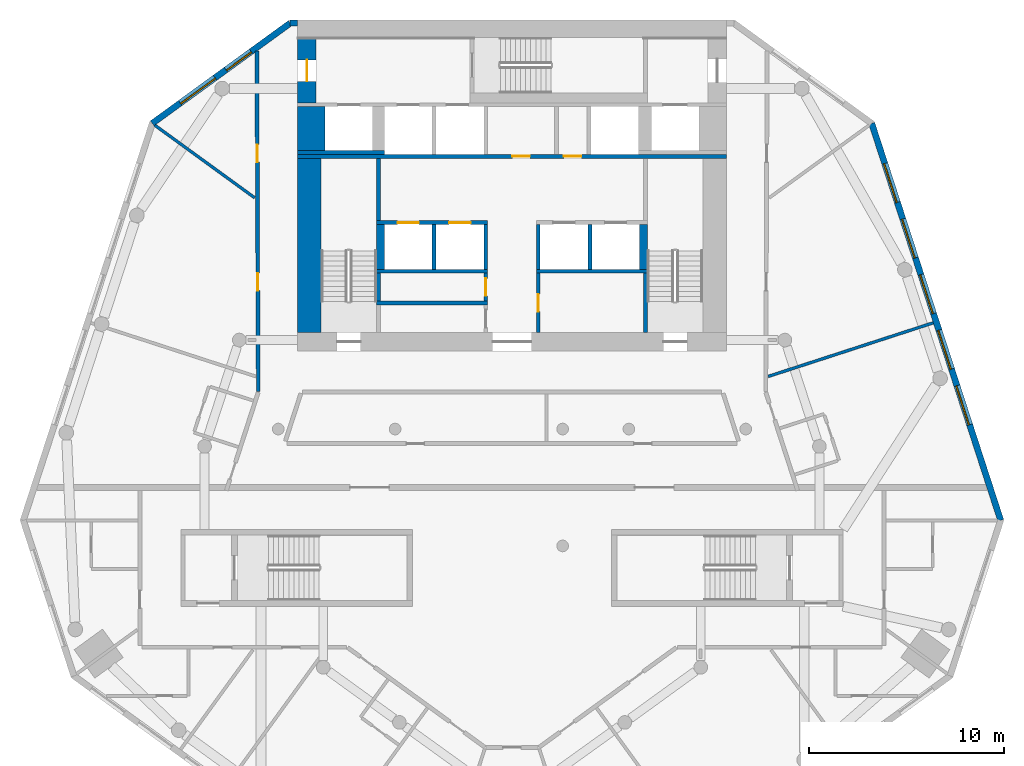
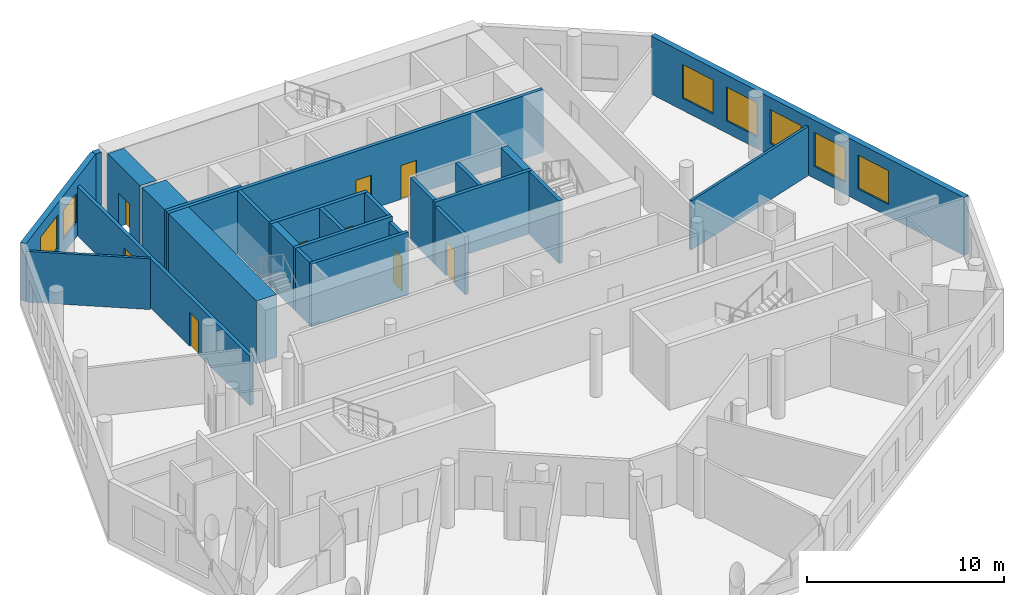
# One storey, part 5 of 9: 26 walls, 9 doors, 7 windows, 16 openings.
"""IFC4 building model written with IfcOpenShell, lengths in metres."""

from ifc_helpers import new_model, si_unit, direction, frame, frame_2d, origin, place, context, subcontext, project, spatial, rectangle, extrude, material, layer, layer_set, type_object, element, fill, save


model = new_model("IFC4")

# Units and contexts
model_context = context("Model", 3, precision=1e-05, world=origin(), true_north=direction((0.0, 1.0)))
body_context = subcontext(model_context, "Body", "Model", "MODEL_VIEW")
ifc_project = project(units=[si_unit("LENGTHUNIT", "METRE"), si_unit("AREAUNIT", "SQUARE_METRE"), si_unit("VOLUMEUNIT", "CUBIC_METRE"), si_unit("PLANEANGLEUNIT", "RADIAN"), si_unit("MASSUNIT", "GRAM", prefix="KILO")], contexts=[model_context])

# Site, building, storey
site_placement = place(None, origin())
site = spatial("IfcSite", under=ifc_project, at=site_placement, CompositionType="ELEMENT")
building_placement = place(site_placement, origin())
building = spatial("IfcBuilding", under=site, at=building_placement, Name="White Candle Pilgrim Tower", CompositionType="ELEMENT")
storey_placement = place(building_placement, frame((0.0, 0.0, 175.89990234375)))
storey = spatial("IfcBuildingStorey", under=building, at=storey_placement, Name="L40", CompositionType="ELEMENT", Elevation=175.89990234375)

# Walls
ifc_material_1 = material(Name="Concrete C60/75", Category="concrete")
ifc_layer_1 = layer(ifc_material_1, 1.39990234375)
ifc_layer_set_1 = layer_set([ifc_layer_1], Name="Core wall 1400 mm Concrete C60/75")
wall_type_1 = type_object("IfcWallType", Name="Core wall 1400 mm Concrete C60/75", PredefinedType="SHEAR", material=ifc_layer_set_1)
wall_1_placement = place(storey_placement, frame((59.699951171875, 81.300048828125, 0.0), z_axis=(0.0, 0.0, 1.0), x_axis=(0.0, 1.0, 0.0)))
element("IfcWall", 1, at=wall_1_placement, inside=storey, type_object=wall_type_1, Name="WL-L40-C40", PredefinedType="SHEAR", context=body_context, shape_type="SweptSolid", body=[
    extrude(rectangle(XDim=2.25, YDim=1.39990234375, at=frame_2d((1.125, 0.0))), origin(), (0.0, 0.0, 1.0), 3.900146484375),
])
ifc_layer_2 = layer(ifc_material_1, 0.199951171875)
ifc_layer_set_2 = layer_set([ifc_layer_2], Name="Core wall 200 mm Concrete C60/75")
wall_type_2 = type_object("IfcWallType", Name="Core wall 200 mm Concrete C60/75", PredefinedType="SHEAR", material=ifc_layer_set_2)
wall_2_placement = place(storey_placement, frame((59.0, 81.199951171875, 0.0), z_axis=(0.0, 0.0, 1.0), x_axis=(1.0, 0.0, 0.0)))
element("IfcWall", 2, at=wall_2_placement, inside=storey, type_object=wall_type_2, Name="WL-L40-C34", PredefinedType="SHEAR", context=body_context, shape_type="SweptSolid", body=[
    extrude(rectangle(XDim=4.449951171875, YDim=0.199951171875, at=frame_2d((2.22509765625, 0.0))), origin(), (0.0, 0.0, 1.0), 3.900146484375),
])

# Wall, opening, door
ifc_layer_3 = layer(ifc_material_1, 0.949951171875)
ifc_layer_set_3 = layer_set([ifc_layer_3], Name="Core wall 950 mm Concrete C60/75")
wall_type_3 = type_object("IfcWallType", Name="Core wall 950 mm Concrete C60/75", PredefinedType="SHEAR", material=ifc_layer_set_3)
wall_3_placement = place(storey_placement, frame((59.47509765625, 83.75, 0.0), z_axis=(0.0, 0.0, 1.0), x_axis=(0.0, 1.0, 0.0)))
wall_3 = element("IfcWall", 3, at=wall_3_placement, inside=storey, type_object=wall_type_3, Name="WL-L40-C45", PredefinedType="SHEAR", context=body_context, shape_type="SweptSolid", body=[
    extrude(rectangle(XDim=3.300048828125, YDim=0.949951171875, at=frame_2d((1.64990234375, 0.0))), origin(), (0.0, 0.0, 1.0), 3.900146484375),
])
opening_1_placement = place(wall_3_placement, frame((1.10009765625, 0.0, 0.0)))
opening_1 = element("IfcOpeningElement", 4, at=opening_1_placement, cuts=wall_3, Name="Opening T12-008", PredefinedType="OPENING", context=body_context, shape_type="SweptSolid", body=[
    extrude(rectangle(XDim=1.10009765625, YDim=2.10009765625, at=frame_2d((0.550048828125, 1.050048828125))), frame((0.0, 0.48486328125, 0.0), z_axis=(0.0, -1.0, 0.0), x_axis=(1.0, 0.0, 0.0)), (0.0, 0.0, 1.0), 0.969970703125),
])
ifc_material_2 = material(Name="Steel door leaf", Category="steel")
door_type_1 = type_object("IfcDoorType", Name="Fire door 1100 x 2100 EI 60", OperationType="NOTDEFINED", PredefinedType="DOOR", material=ifc_material_2)
door_1_placement = place(opening_1_placement, origin())
door_1 = element("IfcDoor", 5, at=door_1_placement, inside=storey, type_object=door_type_1, Name="Door T12-008", OperationType="SINGLE_SWING_RIGHT", OverallHeight=2.10009765625, OverallWidth=1.10009765625, PredefinedType="DOOR", context=body_context, shape_type="SweptSolid", body=[
    extrude(rectangle(XDim=1.10009765625, YDim=2.10009765625, at=frame_2d((0.550048828125, 1.050048828125))), frame((0.0, 0.02490234375, 0.0), z_axis=(0.0, -1.0, 0.0), x_axis=(1.0, 0.0, 0.0)), (0.0, 0.0, 1.0), 0.050048828125),
])
fill(opening_1, door_1)

# Wall, openings, doors
ifc_material_3 = material(Name="Gypsum board on steel studs", Category="steel")
ifc_layer_4 = layer(ifc_material_3, 0.199951171875)
ifc_layer_set_4 = layer_set([ifc_layer_4], Name="Corridor wall 200 mm EI 45")
wall_type_4 = type_object("IfcWallType", Name="Corridor wall 200 mm EI 45", PredefinedType="PARTITIONING", material=ifc_layer_set_4)
wall_4_placement = place(storey_placement, frame((56.975341796875, 68.916015625, 0.0), z_axis=(0.0, 0.0, 1.0), x_axis=(-0.004315662543, 0.999990687485, 0.0)))
wall_4 = element("IfcWall", 6, at=wall_4_placement, inside=storey, type_object=wall_type_4, Name="WL-L40-P003", PredefinedType="PARTITIONING", context=body_context, shape_type="SweptSolid", body=[
    extrude(rectangle(XDim=17.48046875, YDim=0.199951171875, at=frame_2d((8.740234375, 0.0))), origin(), (0.0, 0.0, 1.0), 3.050048828125),
])
opening_2_placement = place(wall_4_placement, frame((5.194580078125, 0.0, 0.0)))
opening_2 = element("IfcOpeningElement", 7, at=opening_2_placement, cuts=wall_4, Name="Opening T12-123", PredefinedType="OPENING", context=body_context, shape_type="SweptSolid", body=[
    extrude(rectangle(XDim=0.89990234375, YDim=2.10009765625, at=frame_2d((0.449951171875, 1.050048828125))), frame((0.0, 0.10986328125, 0.0), z_axis=(0.0, -1.0, 0.0), x_axis=(1.0, 0.0, 0.0)), (0.0, 0.0, 1.0), 0.219970703125),
])
opening_3_placement = place(wall_4_placement, frame((11.7861328125, 0.0, 0.0)))
opening_3 = element("IfcOpeningElement", 8, at=opening_3_placement, cuts=wall_4, Name="Opening T12-124", PredefinedType="OPENING", context=body_context, shape_type="SweptSolid", body=[
    extrude(rectangle(XDim=0.89990234375, YDim=2.10009765625, at=frame_2d((0.449951171875, 1.050048828125))), frame((0.0, 0.10986328125, 0.0), z_axis=(0.0, -1.0, 0.0), x_axis=(1.0, 0.0, 0.0)), (0.0, 0.0, 1.0), 0.219970703125),
])
door_type_2 = type_object("IfcDoorType", Name="Fire door 900 x 2100 EI 30", OperationType="NOTDEFINED", PredefinedType="DOOR", material=ifc_material_2)
door_2_placement = place(opening_2_placement, origin())
door_2 = element("IfcDoor", 9, at=door_2_placement, inside=storey, type_object=door_type_2, Name="Door T12-123", OperationType="SINGLE_SWING_LEFT", OverallHeight=2.10009765625, OverallWidth=0.89990234375, PredefinedType="DOOR", context=body_context, shape_type="SweptSolid", body=[
    extrude(rectangle(XDim=0.89990234375, YDim=2.10009765625, at=frame_2d((0.449951171875, 1.050048828125))), frame((0.0, 0.02490234375, 0.0), z_axis=(0.0, -1.0, 0.0), x_axis=(1.0, 0.0, 0.0)), (0.0, 0.0, 1.0), 0.050048828125),
])
fill(opening_2, door_2)
door_3_placement = place(opening_3_placement, origin())
door_3 = element("IfcDoor", 10, at=door_3_placement, inside=storey, type_object=door_type_2, Name="Door T12-124", OperationType="SINGLE_SWING_RIGHT", OverallHeight=2.10009765625, OverallWidth=0.89990234375, PredefinedType="DOOR", context=body_context, shape_type="SweptSolid", body=[
    extrude(rectangle(XDim=0.89990234375, YDim=2.10009765625, at=frame_2d((0.449951171875, 1.050048828125))), frame((0.0, 0.02490234375, 0.0), z_axis=(0.0, -1.0, 0.0), x_axis=(1.0, 0.0, 0.0)), (0.0, 0.0, 1.0), 0.050048828125),
])
fill(opening_3, door_3)

# Wall, openings, windows
ifc_material_4 = material(Name="Precast concrete C40/50", Category="concrete")
ifc_layer_5 = layer(ifc_material_4, 0.320068359375)
ifc_layer_set_5 = layer_set([ifc_layer_5], Name="Facade wall EW1 precast concrete C40/50 pier wall with timber-lined reveals")
wall_type_5 = type_object("IfcWallType", Name="Facade wall EW1 precast concrete C40/50 pier wall with timber-lined reveals", PredefinedType="SOLIDWALL", material=ifc_layer_set_5)
wall_5_placement = place(storey_placement, frame((95.090087890625, 62.314453125, 0.0), z_axis=(0.0, 0.0, 1.0), x_axis=(-0.309016769675, 0.951056589304, 0.0)))
wall_5 = element("IfcWall", 11, at=wall_5_placement, inside=storey, type_object=wall_type_5, Name="Facade wall L40 ENE", PredefinedType="SOLIDWALL", context=body_context, shape_type="SweptSolid", body=[
    extrude(rectangle(XDim=21.427978515625, YDim=0.320068359375, at=frame_2d((10.7138671875, 0.0))), origin(), (0.0, 0.0, 1.0), 3.60009765625),
])
opening_4_placement = place(wall_5_placement, frame((5.163818359375, 0.0, 0.75)))
opening_4 = element("IfcOpeningElement", 12, at=opening_4_placement, cuts=wall_5, Name="Opening W3", PredefinedType="OPENING", context=body_context, shape_type="SweptSolid", body=[
    extrude(rectangle(XDim=2.10009765625, YDim=2.10009765625, at=frame_2d((1.050048828125, 1.050048828125))), frame((0.0, 0.169921875, 0.0), z_axis=(0.0, -1.0, 0.0), x_axis=(1.0, 0.0, 0.0)), (0.0, 0.0, 1.0), 0.340087890625),
])
opening_5_placement = place(wall_5_placement, frame((8.163818359375, 0.0, 0.75)))
opening_5 = element("IfcOpeningElement", 13, at=opening_5_placement, cuts=wall_5, Name="Opening W3", PredefinedType="OPENING", context=body_context, shape_type="SweptSolid", body=[
    extrude(rectangle(XDim=2.10009765625, YDim=2.10009765625, at=frame_2d((1.050048828125, 1.050048828125))), frame((0.0, 0.169921875, 0.0), z_axis=(0.0, -1.0, 0.0), x_axis=(1.0, 0.0, 0.0)), (0.0, 0.0, 1.0), 0.340087890625),
])
opening_6_placement = place(wall_5_placement, frame((11.163818359375, 0.0, 0.75)))
opening_6 = element("IfcOpeningElement", 14, at=opening_6_placement, cuts=wall_5, Name="Opening W3", PredefinedType="OPENING", context=body_context, shape_type="SweptSolid", body=[
    extrude(rectangle(XDim=2.10009765625, YDim=2.10009765625, at=frame_2d((1.050048828125, 1.050048828125))), frame((0.0, 0.169921875, 0.0), z_axis=(0.0, -1.0, 0.0), x_axis=(1.0, 0.0, 0.0)), (0.0, 0.0, 1.0), 0.340087890625),
])
opening_7_placement = place(wall_5_placement, frame((14.163818359375, 0.0, 0.75)))
opening_7 = element("IfcOpeningElement", 15, at=opening_7_placement, cuts=wall_5, Name="Opening W3", PredefinedType="OPENING", context=body_context, shape_type="SweptSolid", body=[
    extrude(rectangle(XDim=2.10009765625, YDim=2.10009765625, at=frame_2d((1.050048828125, 1.050048828125))), frame((0.0, 0.169921875, 0.0), z_axis=(0.0, -1.0, 0.0), x_axis=(1.0, 0.0, 0.0)), (0.0, 0.0, 1.0), 0.340087890625),
])
opening_8_placement = place(wall_5_placement, frame((17.163818359375, 0.0, 0.75)))
opening_8 = element("IfcOpeningElement", 16, at=opening_8_placement, cuts=wall_5, Name="Opening W3", PredefinedType="OPENING", context=body_context, shape_type="SweptSolid", body=[
    extrude(rectangle(XDim=2.10009765625, YDim=2.10009765625, at=frame_2d((1.050048828125, 1.050048828125))), frame((0.0, 0.169921875, 0.0), z_axis=(0.0, -1.0, 0.0), x_axis=(1.0, 0.0, 0.0)), (0.0, 0.0, 1.0), 0.340087890625),
])
ifc_material_5 = material(Name="Timber frame with triple glazing", Category="wood")
window_type_1 = type_object("IfcWindowType", Name="Window W3 2100x2100 timber frame triple glazing", PartitioningType="SINGLE_PANEL", PredefinedType="WINDOW", material=ifc_material_5)
window_1_placement = place(opening_4_placement, origin())
window_1 = element("IfcWindow", 17, at=window_1_placement, inside=storey, type_object=window_type_1, Name="Window W3 L40 ENE 2", OverallHeight=2.10009765625, OverallWidth=2.10009765625, PartitioningType="SINGLE_PANEL", PredefinedType="WINDOW", context=body_context, shape_type="SweptSolid", body=[
    extrude(rectangle(XDim=2.10009765625, YDim=2.10009765625, at=frame_2d((1.050048828125, 1.050048828125))), frame((0.0, 0.070068359375, 0.0), z_axis=(0.0, -1.0, 0.0), x_axis=(1.0, 0.0, 0.0)), (0.0, 0.0, 1.0), 0.06005859375),
])
fill(opening_4, window_1)
window_2_placement = place(opening_5_placement, origin())
window_2 = element("IfcWindow", 18, at=window_2_placement, inside=storey, type_object=window_type_1, Name="Window W3 L40 ENE 3", OverallHeight=2.10009765625, OverallWidth=2.10009765625, PartitioningType="SINGLE_PANEL", PredefinedType="WINDOW", context=body_context, shape_type="SweptSolid", body=[
    extrude(rectangle(XDim=2.10009765625, YDim=2.10009765625, at=frame_2d((1.050048828125, 1.050048828125))), frame((0.0, 0.070068359375, 0.0), z_axis=(0.0, -1.0, 0.0), x_axis=(1.0, 0.0, 0.0)), (0.0, 0.0, 1.0), 0.06005859375),
])
fill(opening_5, window_2)
window_3_placement = place(opening_6_placement, origin())
window_3 = element("IfcWindow", 19, at=window_3_placement, inside=storey, type_object=window_type_1, Name="Window W3 L40 ENE 4", OverallHeight=2.10009765625, OverallWidth=2.10009765625, PartitioningType="SINGLE_PANEL", PredefinedType="WINDOW", context=body_context, shape_type="SweptSolid", body=[
    extrude(rectangle(XDim=2.10009765625, YDim=2.10009765625, at=frame_2d((1.050048828125, 1.050048828125))), frame((0.0, 0.070068359375, 0.0), z_axis=(0.0, -1.0, 0.0), x_axis=(1.0, 0.0, 0.0)), (0.0, 0.0, 1.0), 0.06005859375),
])
fill(opening_6, window_3)
window_4_placement = place(opening_7_placement, origin())
window_4 = element("IfcWindow", 20, at=window_4_placement, inside=storey, type_object=window_type_1, Name="Window W3 L40 ENE 5", OverallHeight=2.10009765625, OverallWidth=2.10009765625, PartitioningType="SINGLE_PANEL", PredefinedType="WINDOW", context=body_context, shape_type="SweptSolid", body=[
    extrude(rectangle(XDim=2.10009765625, YDim=2.10009765625, at=frame_2d((1.050048828125, 1.050048828125))), frame((0.0, 0.070068359375, 0.0), z_axis=(0.0, -1.0, 0.0), x_axis=(1.0, 0.0, 0.0)), (0.0, 0.0, 1.0), 0.06005859375),
])
fill(opening_7, window_4)
window_5_placement = place(opening_8_placement, origin())
window_5 = element("IfcWindow", 21, at=window_5_placement, inside=storey, type_object=window_type_1, Name="Window W3 L40 ENE 6", OverallHeight=2.10009765625, OverallWidth=2.10009765625, PartitioningType="SINGLE_PANEL", PredefinedType="WINDOW", context=body_context, shape_type="SweptSolid", body=[
    extrude(rectangle(XDim=2.10009765625, YDim=2.10009765625, at=frame_2d((1.050048828125, 1.050048828125))), frame((0.0, 0.070068359375, 0.0), z_axis=(0.0, -1.0, 0.0), x_axis=(1.0, 0.0, 0.0)), (0.0, 0.0, 1.0), 0.06005859375),
])
fill(opening_8, window_5)

# Wall
wall_6_placement = place(storey_placement, frame((59.0, 87.840087890625, 0.0), z_axis=(0.0, 0.0, 1.0), x_axis=(-1.0, 0.0, 0.0)))
element("IfcWall", 22, at=wall_6_placement, inside=storey, type_object=wall_type_5, Name="Facade wall L40 N", PredefinedType="SOLIDWALL", context=body_context, shape_type="SweptSolid", body=[
    extrude(rectangle(XDim=0.385009765625, YDim=0.320068359375, at=frame_2d((0.1923828125, 0.0))), origin(), (0.0, 0.0, 1.0), 3.60009765625),
])

# Wall, openings, windows
wall_7_placement = place(storey_placement, frame((58.614990234375, 87.840087890625, 0.0), z_axis=(0.0, 0.0, 1.0), x_axis=(-0.809015733499, -0.587786987735, 0.0)))
wall_7 = element("IfcWall", 23, at=wall_7_placement, inside=storey, type_object=wall_type_5, Name="Facade wall L40 NW chamfer", PredefinedType="SOLIDWALL", context=body_context, shape_type="SweptSolid", body=[
    extrude(rectangle(XDim=8.755615234375, YDim=0.320068359375, at=frame_2d((4.3779296875, 0.0))), origin(), (0.0, 0.0, 1.0), 3.60009765625),
])
opening_9_placement = place(wall_7_placement, frame((2.477783203125, 0.0, 0.89990234375)))
opening_9 = element("IfcOpeningElement", 24, at=opening_9_placement, cuts=wall_7, Name="Opening W2", PredefinedType="OPENING", context=body_context, shape_type="SweptSolid", body=[
    extrude(rectangle(XDim=1.60009765625, YDim=1.800048828125, at=frame_2d((0.800048828125, 0.89990234375))), frame((0.0, 0.169921875, 0.0), z_axis=(0.0, -1.0, 0.0), x_axis=(1.0, 0.0, 0.0)), (0.0, 0.0, 1.0), 0.340087890625),
])
opening_10_placement = place(wall_7_placement, frame((4.77783203125, 0.0, 0.75)))
opening_10 = element("IfcOpeningElement", 25, at=opening_10_placement, cuts=wall_7, Name="Opening W4", PredefinedType="OPENING", context=body_context, shape_type="SweptSolid", body=[
    extrude(rectangle(XDim=2.199951171875, YDim=2.10009765625, at=frame_2d((1.10009765625, 1.050048828125))), frame((0.0, 0.169921875, 0.0), z_axis=(0.0, -1.0, 0.0), x_axis=(1.0, 0.0, 0.0)), (0.0, 0.0, 1.0), 0.340087890625),
])
window_type_2 = type_object("IfcWindowType", Name="Window W2 1600x1800 timber frame triple glazing", PartitioningType="SINGLE_PANEL", PredefinedType="WINDOW", material=ifc_material_5)
window_6_placement = place(opening_9_placement, origin())
window_6 = element("IfcWindow", 26, at=window_6_placement, inside=storey, type_object=window_type_2, Name="Window W2 L40 NW chamfer 1", OverallHeight=1.800048828125, OverallWidth=1.60009765625, PartitioningType="SINGLE_PANEL", PredefinedType="WINDOW", context=body_context, shape_type="SweptSolid", body=[
    extrude(rectangle(XDim=1.60009765625, YDim=1.800048828125, at=frame_2d((0.800048828125, 0.89990234375))), frame((0.0, 0.070068359375, 0.0), z_axis=(0.0, -1.0, 0.0), x_axis=(1.0, 0.0, 0.0)), (0.0, 0.0, 1.0), 0.06005859375),
])
fill(opening_9, window_6)
window_type_3 = type_object("IfcWindowType", Name="Window W4 2200x2100 timber frame triple glazing", PartitioningType="SINGLE_PANEL", PredefinedType="WINDOW", material=ifc_material_5)
window_7_placement = place(opening_10_placement, origin())
window_7 = element("IfcWindow", 27, at=window_7_placement, inside=storey, type_object=window_type_3, Name="Window W4 L40 NW chamfer 2", OverallHeight=2.10009765625, OverallWidth=2.199951171875, PartitioningType="SINGLE_PANEL", PredefinedType="WINDOW", context=body_context, shape_type="SweptSolid", body=[
    extrude(rectangle(XDim=2.199951171875, YDim=2.10009765625, at=frame_2d((1.10009765625, 1.050048828125))), frame((0.0, 0.070068359375, 0.0), z_axis=(0.0, -1.0, 0.0), x_axis=(1.0, 0.0, 0.0)), (0.0, 0.0, 1.0), 0.06005859375),
])
fill(opening_10, window_7)

# Wall, opening, door
ifc_layer_6 = layer(ifc_material_3, 0.199951171875)
ifc_layer_set_6 = layer_set([ifc_layer_6], Name="Lobby wall 200 mm EI 60")
wall_type_6 = type_object("IfcWallType", Name="Lobby wall 200 mm EI 60", PredefinedType="PARTITIONING", material=ifc_layer_set_6)
wall_8_placement = place(storey_placement, frame((71.35009765625, 71.949951171875, 0.0), z_axis=(0.0, 0.0, 1.0), x_axis=(0.0, 1.0, 0.0)))
wall_8 = element("IfcWall", 28, at=wall_8_placement, inside=storey, type_object=wall_type_6, Name="WL-L40-C15", PredefinedType="PARTITIONING", context=body_context, shape_type="SweptSolid", body=[
    extrude(rectangle(XDim=3.050048828125, YDim=0.199951171875, at=frame_2d((1.52490234375, 0.0))), origin(), (0.0, 0.0, 1.0), 3.60009765625),
])
opening_11_placement = place(wall_8_placement, frame((1.074951171875, 0.0, 0.0)))
opening_11 = element("IfcOpeningElement", 29, at=opening_11_placement, cuts=wall_8, Name="Opening T12-007", PredefinedType="OPENING", context=body_context, shape_type="SweptSolid", body=[
    extrude(rectangle(XDim=0.89990234375, YDim=2.10009765625, at=frame_2d((0.449951171875, 1.050048828125))), frame((0.0, 0.10986328125, 0.0), z_axis=(0.0, -1.0, 0.0), x_axis=(1.0, 0.0, 0.0)), (0.0, 0.0, 1.0), 0.219970703125),
])
door_4_placement = place(opening_11_placement, origin())
door_4 = element("IfcDoor", 30, at=door_4_placement, inside=storey, type_object=door_type_2, Name="Door T12-007", OperationType="SINGLE_SWING_LEFT", OverallHeight=2.10009765625, OverallWidth=0.89990234375, PredefinedType="DOOR", context=body_context, shape_type="SweptSolid", body=[
    extrude(rectangle(XDim=0.89990234375, YDim=2.10009765625, at=frame_2d((0.449951171875, 1.050048828125))), frame((0.0, 0.02490234375, 0.0), z_axis=(0.0, -1.0, 0.0), x_axis=(1.0, 0.0, 0.0)), (0.0, 0.0, 1.0), 0.050048828125),
])
fill(opening_11, door_4)

wall_9_placement = place(storey_placement, frame((68.64990234375, 73.574951171875, 0.0), z_axis=(0.0, 0.0, 1.0), x_axis=(0.0, 1.0, 0.0)))
wall_9 = element("IfcWall", 31, at=wall_9_placement, inside=storey, type_object=wall_type_6, Name="WL-L40-C20", PredefinedType="PARTITIONING", context=body_context, shape_type="SweptSolid", body=[
    extrude(rectangle(XDim=1.425048828125, YDim=0.199951171875, at=frame_2d((0.71240234375, 0.0))), origin(), (0.0, 0.0, 1.0), 3.60009765625),
])
opening_12_placement = place(wall_9_placement, frame((0.262451171875, 0.0, 0.0)))
opening_12 = element("IfcOpeningElement", 32, at=opening_12_placement, cuts=wall_9, Name="Opening T12-006", PredefinedType="OPENING", context=body_context, shape_type="SweptSolid", body=[
    extrude(rectangle(XDim=0.89990234375, YDim=2.10009765625, at=frame_2d((0.449951171875, 1.050048828125))), frame((0.0, 0.10986328125, 0.0), z_axis=(0.0, -1.0, 0.0), x_axis=(1.0, 0.0, 0.0)), (0.0, 0.0, 1.0), 0.219970703125),
])
door_5_placement = place(opening_12_placement, origin())
door_5 = element("IfcDoor", 33, at=door_5_placement, inside=storey, type_object=door_type_2, Name="Door T12-006", OperationType="SINGLE_SWING_RIGHT", OverallHeight=2.10009765625, OverallWidth=0.89990234375, PredefinedType="DOOR", context=body_context, shape_type="SweptSolid", body=[
    extrude(rectangle(XDim=0.89990234375, YDim=2.10009765625, at=frame_2d((0.449951171875, 1.050048828125))), frame((0.0, 0.02490234375, 0.0), z_axis=(0.0, -1.0, 0.0), x_axis=(1.0, 0.0, 0.0)), (0.0, 0.0, 1.0), 0.050048828125),
])
fill(opening_12, door_5)

# Walls
ifc_layer_7 = layer(ifc_material_3, 0.14990234375)
ifc_layer_set_7 = layer_set([ifc_layer_7], Name="Partition 150 mm EI 60")
wall_type_7 = type_object("IfcWallType", Name="Partition 150 mm EI 60", PredefinedType="PARTITIONING", material=ifc_layer_set_7)
wall_10_placement = place(storey_placement, frame((51.66748046875, 82.594482421875, 0.0), z_axis=(0.0, 0.0, 1.0), x_axis=(0.809026220211, -0.587772553809, 0.0)))
element("IfcWall", 34, at=wall_10_placement, inside=storey, type_object=wall_type_7, Name="WL-L40-P017", PredefinedType="PARTITIONING", context=body_context, shape_type="SweptSolid", body=[
    extrude(rectangle(XDim=6.329345703125, YDim=0.14990234375, at=frame_2d((3.16455078125, 0.0))), origin(), (0.0, 0.0, 1.0), 3.150146484375),
])
wall_11_placement = place(storey_placement, frame((91.627197265625, 72.45458984375, 0.0), z_axis=(0.0, 0.0, 1.0), x_axis=(-0.951055809184, -0.30901917063, 0.0)))
element("IfcWall", 35, at=wall_11_placement, inside=storey, type_object=wall_type_7, Name="WL-L40-P044", PredefinedType="PARTITIONING", context=body_context, shape_type="SweptSolid", body=[
    extrude(rectangle(XDim=8.911865234375, YDim=0.14990234375, at=frame_2d((4.4560546875, 0.0))), origin(), (0.0, 0.0, 1.0), 3.050048828125),
])
ifc_layer_8 = layer(ifc_material_1, 0.199951171875)
ifc_layer_set_8 = layer_set([ifc_layer_8], Name="Shaft wall 200 mm Concrete C60/75")
wall_type_8 = type_object("IfcWallType", Name="Shaft wall 200 mm Concrete C60/75", PredefinedType="SHEAR", material=ifc_layer_set_8)
for number, where, z_axis, x_axis, name in (
    (36, (66.0, 75.199951171875, 0.0), (0.0, 0.0, 1.0), (0.0, 1.0, 0.0), "WL-L40-C24"),
    (37, (68.64990234375, 75.199951171875, 0.0), (0.0, 0.0, 1.0), (0.0, 1.0, 0.0), "WL-L40-C25"),
    (38, (71.35009765625, 75.199951171875, 0.0), (0.0, 0.0, 1.0), (0.0, 1.0, 0.0), "WL-L40-C26"),
    (39, (74.0, 75.199951171875, 0.0), (0.0, 0.0, 1.0), (0.0, 1.0, 0.0), "WL-L40-C27"),
):
    element("IfcWall", number, at=place(storey_placement, frame(where, z_axis=z_axis, x_axis=x_axis)), inside=storey, type_object=wall_type_8, Name=name, PredefinedType="SHEAR", context=body_context, shape_type="SweptSolid", body=[
        extrude(rectangle(XDim=2.300048828125, YDim=0.199951171875, at=frame_2d((1.14990234375, 0.0))), origin(), (0.0, 0.0, 1.0), 3.900146484375),
    ])
ifc_layer_9 = layer(ifc_material_1, 1.199951171875)
ifc_layer_set_9 = layer_set([ifc_layer_9], Name="Stair shaft wall 1200 mm Concrete C60/75")
wall_type_9 = type_object("IfcWallType", Name="Stair shaft wall 1200 mm Concrete C60/75", PredefinedType="SHEAR", material=ifc_layer_set_9)
wall_12_placement = place(storey_placement, frame((59.60009765625, 71.949951171875, 0.0), z_axis=(0.0, 0.0, 1.0), x_axis=(0.0, 1.0, 0.0)))
element("IfcWall", 40, at=wall_12_placement, inside=storey, type_object=wall_type_9, Name="WL-L40-C12", PredefinedType="SHEAR", context=body_context, shape_type="SweptSolid", body=[
    extrude(rectangle(XDim=8.949951171875, YDim=1.199951171875, at=frame_2d((4.47509765625, 0.0))), origin(), (0.0, 0.0, 1.0), 3.900146484375),
])
ifc_layer_10 = layer(ifc_material_1, 0.199951171875)
ifc_layer_set_10 = layer_set([ifc_layer_10], Name="Stair shaft wall 200 mm Concrete C60/75")
wall_type_10 = type_object("IfcWallType", Name="Stair shaft wall 200 mm Concrete C60/75", PredefinedType="SHEAR", material=ifc_layer_set_10)
wall_13_placement = place(storey_placement, frame((76.85009765625, 71.949951171875, 0.0), z_axis=(0.0, 0.0, 1.0), x_axis=(0.0, 1.0, 0.0)))
element("IfcWall", 41, at=wall_13_placement, inside=storey, type_object=wall_type_10, Name="WL-L40-C16", PredefinedType="SHEAR", context=body_context, shape_type="SweptSolid", body=[
    extrude(rectangle(XDim=3.050048828125, YDim=0.199951171875, at=frame_2d((1.52490234375, 0.0))), origin(), (0.0, 0.0, 1.0), 3.900146484375),
])
wall_14_placement = place(storey_placement, frame((63.050048828125, 73.47509765625, 0.0), z_axis=(0.0, 0.0, 1.0), x_axis=(1.0, 0.0, 0.0)))
element("IfcWall", 42, at=wall_14_placement, inside=storey, type_object=wall_type_10, Name="WL-L40-C18", PredefinedType="SHEAR", context=body_context, shape_type="SweptSolid", body=[
    extrude(rectangle(XDim=5.699951171875, YDim=0.199951171875, at=frame_2d((2.85009765625, 0.0))), origin(), (0.0, 0.0, 1.0), 3.900146484375),
])
wall_15_placement = place(storey_placement, frame((63.14990234375, 73.574951171875, 0.0), z_axis=(0.0, 0.0, 1.0), x_axis=(0.0, 1.0, 0.0)))
element("IfcWall", 43, at=wall_15_placement, inside=storey, type_object=wall_type_10, Name="WL-L40-C19", PredefinedType="SHEAR", context=body_context, shape_type="SweptSolid", body=[
    extrude(rectangle(XDim=1.425048828125, YDim=0.199951171875, at=frame_2d((0.71240234375, 0.0))), origin(), (0.0, 0.0, 1.0), 3.900146484375),
])
for number, where, z_axis, x_axis, name in (
    (44, (63.050048828125, 75.10009765625, 0.0), (0.0, 0.0, 1.0), (1.0, 0.0, 0.0), "WL-L40-C21"),
    (45, (71.25, 75.10009765625, 0.0), (0.0, 0.0, 1.0), (1.0, 0.0, 0.0), "WL-L40-C22"),
):
    element("IfcWall", number, at=place(storey_placement, frame(where, z_axis=z_axis, x_axis=x_axis)), inside=storey, type_object=wall_type_10, Name=name, PredefinedType="SHEAR", context=body_context, shape_type="SweptSolid", body=[
        extrude(rectangle(XDim=5.699951171875, YDim=0.199951171875, at=frame_2d((2.85009765625, 0.0))), origin(), (0.0, 0.0, 1.0), 3.900146484375),
    ])

# Wall, openings, doors
wall_16_placement = place(storey_placement, frame((63.050048828125, 77.60009765625, 0.0), z_axis=(0.0, 0.0, 1.0), x_axis=(1.0, 0.0, 0.0)))
wall_16 = element("IfcWall", 46, at=wall_16_placement, inside=storey, type_object=wall_type_10, Name="WL-L40-C29", PredefinedType="SHEAR", context=body_context, shape_type="SweptSolid", body=[
    extrude(rectangle(XDim=5.699951171875, YDim=0.199951171875, at=frame_2d((2.85009765625, 0.0))), origin(), (0.0, 0.0, 1.0), 3.900146484375),
])
opening_13_placement = place(wall_16_placement, frame((1.074951171875, 0.0, 0.0)))
opening_13 = element("IfcOpeningElement", 47, at=opening_13_placement, cuts=wall_16, Name="Opening T12-014", PredefinedType="OPENING", context=body_context, shape_type="SweptSolid", body=[
    extrude(rectangle(XDim=1.10009765625, YDim=2.10009765625, at=frame_2d((0.550048828125, 1.050048828125))), frame((0.0, 0.10986328125, 0.0), z_axis=(0.0, -1.0, 0.0), x_axis=(1.0, 0.0, 0.0)), (0.0, 0.0, 1.0), 0.219970703125),
])
opening_14_placement = place(wall_16_placement, frame((3.72509765625, 0.0, 0.0)))
opening_14 = element("IfcOpeningElement", 48, at=opening_14_placement, cuts=wall_16, Name="Opening T12-015", PredefinedType="OPENING", context=body_context, shape_type="SweptSolid", body=[
    extrude(rectangle(XDim=1.10009765625, YDim=2.10009765625, at=frame_2d((0.550048828125, 1.050048828125))), frame((0.0, 0.10986328125, 0.0), z_axis=(0.0, -1.0, 0.0), x_axis=(1.0, 0.0, 0.0)), (0.0, 0.0, 1.0), 0.219970703125),
])
ifc_material_6 = material(Name="Stainless steel", Category="steel")
door_type_3 = type_object("IfcDoorType", Name="Lift landing door 1100 x 2100 E 60", OperationType="DOUBLE_DOOR_SLIDING", PredefinedType="DOOR", material=ifc_material_6)
door_6_placement = place(opening_13_placement, origin())
door_6 = element("IfcDoor", 49, at=door_6_placement, inside=storey, type_object=door_type_3, Name="Door T12-014", OperationType="DOUBLE_DOOR_SLIDING", OverallHeight=2.10009765625, OverallWidth=1.10009765625, PredefinedType="DOOR", context=body_context, shape_type="SweptSolid", body=[
    extrude(rectangle(XDim=1.10009765625, YDim=2.10009765625, at=frame_2d((0.550048828125, 1.050048828125))), frame((0.0, 0.02490234375, 0.0), z_axis=(0.0, -1.0, 0.0), x_axis=(1.0, 0.0, 0.0)), (0.0, 0.0, 1.0), 0.050048828125),
])
fill(opening_13, door_6)
door_7_placement = place(opening_14_placement, origin())
door_7 = element("IfcDoor", 50, at=door_7_placement, inside=storey, type_object=door_type_3, Name="Door T12-015", OperationType="DOUBLE_DOOR_SLIDING", OverallHeight=2.10009765625, OverallWidth=1.10009765625, PredefinedType="DOOR", context=body_context, shape_type="SweptSolid", body=[
    extrude(rectangle(XDim=1.10009765625, YDim=2.10009765625, at=frame_2d((0.550048828125, 1.050048828125))), frame((0.0, 0.02490234375, 0.0), z_axis=(0.0, -1.0, 0.0), x_axis=(1.0, 0.0, 0.0)), (0.0, 0.0, 1.0), 0.050048828125),
])
fill(opening_14, door_7)

# Wall
wall_17_placement = place(storey_placement, frame((63.14990234375, 77.699951171875, 0.0), z_axis=(0.0, 0.0, 1.0), x_axis=(0.0, 1.0, 0.0)))
element("IfcWall", 51, at=wall_17_placement, inside=storey, type_object=wall_type_10, Name="WL-L40-C31", PredefinedType="SHEAR", context=body_context, shape_type="SweptSolid", body=[
    extrude(rectangle(XDim=3.199951171875, YDim=0.199951171875, at=frame_2d((1.60009765625, 0.0))), origin(), (0.0, 0.0, 1.0), 3.900146484375),
])

# Wall, openings, doors
wall_18_placement = place(storey_placement, frame((59.0, 81.0, 0.0), z_axis=(0.0, 0.0, 1.0), x_axis=(1.0, 0.0, 0.0)))
wall_18 = element("IfcWall", 52, at=wall_18_placement, inside=storey, type_object=wall_type_10, Name="WL-L40-C33", PredefinedType="SHEAR", context=body_context, shape_type="SweptSolid", body=[
    extrude(rectangle(XDim=22.0, YDim=0.199951171875, at=frame_2d((11.0, 0.0))), origin(), (0.0, 0.0, 1.0), 3.900146484375),
])
opening_15_placement = place(wall_18_placement, frame((11.014892578125, 0.0, 0.0)))
opening_15 = element("IfcOpeningElement", 53, at=opening_15_placement, cuts=wall_18, Name="Opening T12-022", PredefinedType="OPENING", context=body_context, shape_type="SweptSolid", body=[
    extrude(rectangle(XDim=0.89990234375, YDim=2.10009765625, at=frame_2d((0.449951171875, 1.050048828125))), frame((0.0, 0.10986328125, 0.0), z_axis=(0.0, -1.0, 0.0), x_axis=(1.0, 0.0, 0.0)), (0.0, 0.0, 1.0), 0.219970703125),
])
opening_16_placement = place(wall_18_placement, frame((13.6650390625, 0.0, 0.0)))
opening_16 = element("IfcOpeningElement", 54, at=opening_16_placement, cuts=wall_18, Name="Opening T12-023", PredefinedType="OPENING", context=body_context, shape_type="SweptSolid", body=[
    extrude(rectangle(XDim=0.89990234375, YDim=2.10009765625, at=frame_2d((0.449951171875, 1.050048828125))), frame((0.0, 0.10986328125, 0.0), z_axis=(0.0, -1.0, 0.0), x_axis=(1.0, 0.0, 0.0)), (0.0, 0.0, 1.0), 0.219970703125),
])
door_8_placement = place(opening_15_placement, origin())
door_8 = element("IfcDoor", 55, at=door_8_placement, inside=storey, type_object=door_type_2, Name="Door T12-022", OperationType="SINGLE_SWING_RIGHT", OverallHeight=2.10009765625, OverallWidth=0.89990234375, PredefinedType="DOOR", context=body_context, shape_type="SweptSolid", body=[
    extrude(rectangle(XDim=0.89990234375, YDim=2.10009765625, at=frame_2d((0.449951171875, 1.050048828125))), frame((0.0, 0.02490234375, 0.0), z_axis=(0.0, -1.0, 0.0), x_axis=(1.0, 0.0, 0.0)), (0.0, 0.0, 1.0), 0.050048828125),
])
fill(opening_15, door_8)
door_9_placement = place(opening_16_placement, origin())
door_9 = element("IfcDoor", 56, at=door_9_placement, inside=storey, type_object=door_type_2, Name="Door T12-023", OperationType="SINGLE_SWING_LEFT", OverallHeight=2.10009765625, OverallWidth=0.89990234375, PredefinedType="DOOR", context=body_context, shape_type="SweptSolid", body=[
    extrude(rectangle(XDim=0.89990234375, YDim=2.10009765625, at=frame_2d((0.449951171875, 1.050048828125))), frame((0.0, 0.02490234375, 0.0), z_axis=(0.0, -1.0, 0.0), x_axis=(1.0, 0.0, 0.0)), (0.0, 0.0, 1.0), 0.050048828125),
])
fill(opening_16, door_9)

# Walls
ifc_layer_11 = layer(ifc_material_1, 0.39990234375)
ifc_layer_set_11 = layer_set([ifc_layer_11], Name="Stair shaft wall 400 mm Concrete C60/75")
wall_type_11 = type_object("IfcWallType", Name="Stair shaft wall 400 mm Concrete C60/75", PredefinedType="SHEAR", material=ifc_layer_set_11)
for number, where, z_axis, x_axis, name in (
    (57, (63.25, 75.199951171875, 0.0), (0.0, 0.0, 1.0), (0.0, 1.0, 0.0), "WL-L40-C23"),
    (58, (76.75, 75.199951171875, 0.0), (0.0, 0.0, 1.0), (0.0, 1.0, 0.0), "WL-L40-C28"),
):
    element("IfcWall", number, at=place(storey_placement, frame(where, z_axis=z_axis, x_axis=x_axis)), inside=storey, type_object=wall_type_11, Name=name, PredefinedType="SHEAR", context=body_context, shape_type="SweptSolid", body=[
        extrude(rectangle(XDim=2.300048828125, YDim=0.39990234375, at=frame_2d((1.14990234375, 0.0))), origin(), (0.0, 0.0, 1.0), 3.900146484375),
    ])

save(model, "model.ifc")
